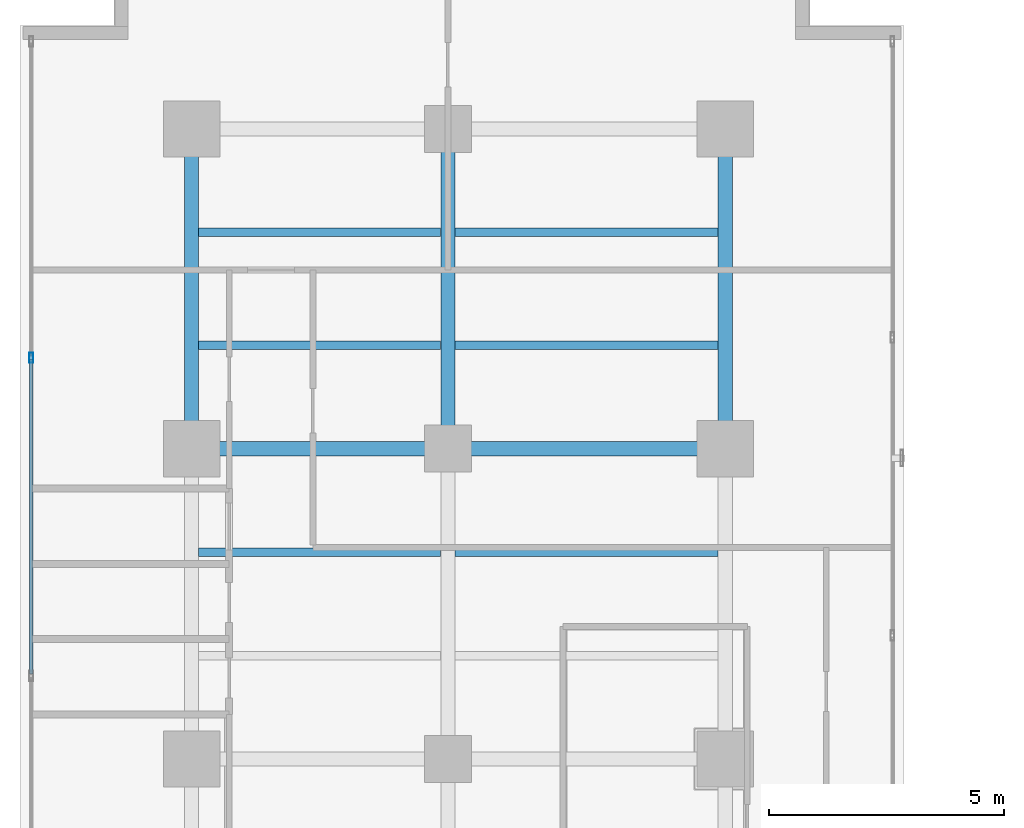
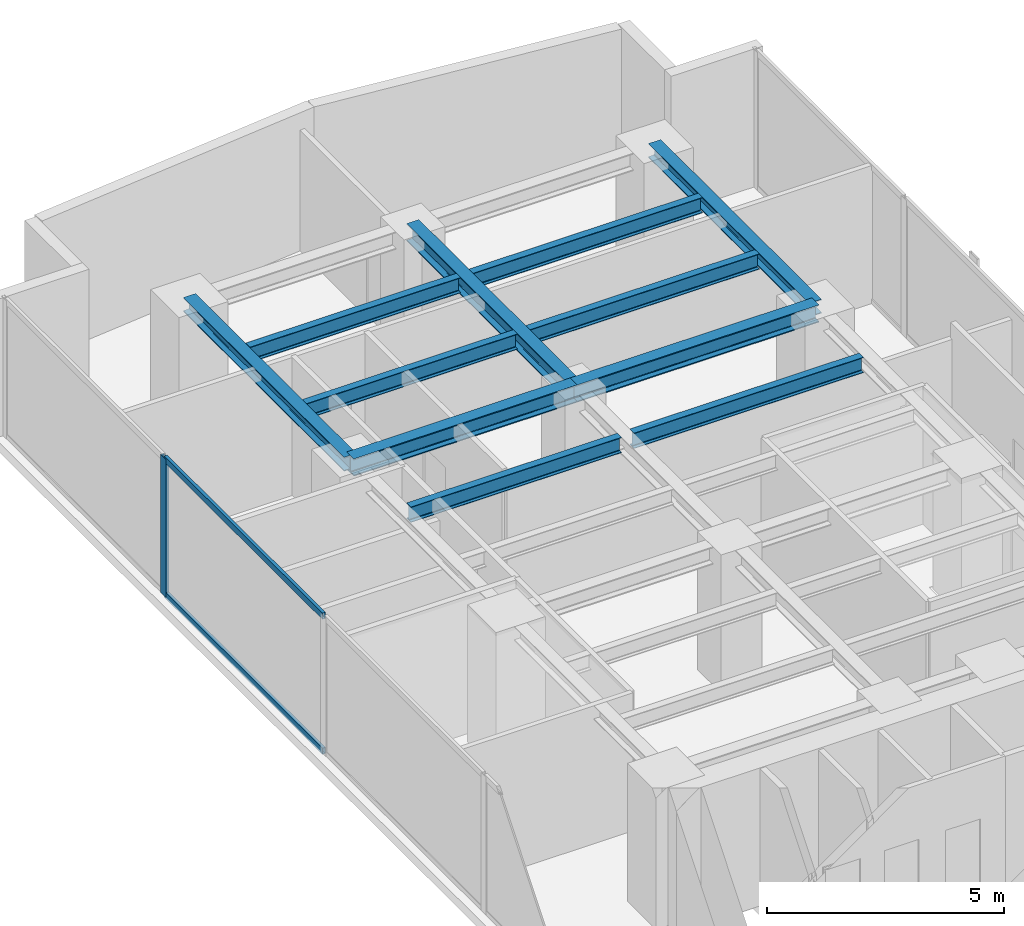
# One storey, part 15 of 24: 11 beams, 3 members, 1 element without a shape of its own.
"""IFC4 building model written with IfcOpenShell, lengths in metres."""

import ifcopenshell
import ifcopenshell.guid

model = None  # the IFC model being written
_history = None  # IfcOwnerHistory: only IFC2X3 demands one
_inside = {}  # id of a spatial element -> (the spatial element, [elements in it])
_under = {}  # id of a project, library or spatial element -> (it, [spatial elements below it])
_declared = {}  # id of a project -> (the project, [libraries it declares])
_typed = {}  # id of a type object -> (the type object, [elements of that type])
_made_of = {}  # id of a material, layer set ... -> (it, [elements and type objects made of it])


def new_model(schema):
    """Start an empty IFC model of exactly this schema.

    Asked for "IFC4X3", IfcOpenShell would pick the latest addendum, in which some entities
    have other attributes; the version numbers below select the first issue.
    IFC2X3 requires an IfcOwnerHistory on every rooted entity: one is made here for all.
    """
    global model, _history
    if schema == "IFC4X3":
        model = ifcopenshell.file(schema_version=(4, 3, 0, 0))
    else:
        model = ifcopenshell.file(schema=schema)
    _inside.clear()
    _under.clear()
    _declared.clear()
    _typed.clear()
    _made_of.clear()
    _history = None
    if model.schema == "IFC2X3":
        org = make("IfcOrganization", Name="unknown")
        user = make(
            "IfcPersonAndOrganization",
            ThePerson=make("IfcPerson", FamilyName="unknown"),
            TheOrganization=org,
        )
        app = make(
            "IfcApplication",
            ApplicationDeveloper=org,
            Version="unknown",
            ApplicationFullName="unknown",
            ApplicationIdentifier="unknown",
        )
        _history = make(
            "IfcOwnerHistory",
            OwningUser=user,
            OwningApplication=app,
            ChangeAction="ADDED",
            CreationDate=0,
        )
    return model


def make(cls, **values):
    """One entity of the class cls with the attributes given. An attribute that is None is left unset."""
    return model.create_entity(
        cls, **{name: value for name, value in values.items() if value is not None}
    )


def rooted(cls, **values):
    """An entity with a GlobalId (a new one), such as an element, a storey or a relation."""
    return make(cls, GlobalId=ifcopenshell.guid.new(), OwnerHistory=_history, **values)


def si_unit(unit_type, name, prefix=None):
    """IfcSIUnit, for example si_unit("LENGTHUNIT", "METRE", prefix="MILLI")."""
    return make("IfcSIUnit", UnitType=unit_type, Prefix=prefix, Name=name)


def assignment(units):
    """IfcUnitAssignment: the units of a project."""
    return None if units is None else make("IfcUnitAssignment", Units=units)


def point(xyz):
    """IfcCartesianPoint."""
    return None if xyz is None else make("IfcCartesianPoint", Coordinates=xyz)


def direction(xyz):
    """IfcDirection."""
    return None if xyz is None else make("IfcDirection", DirectionRatios=xyz)


def frame(location, z_axis=None, x_axis=None):
    """IfcAxis2Placement3D, a coordinate frame: its origin and axes. An axis left out is left unset."""
    return make(
        "IfcAxis2Placement3D",
        Location=point(location),
        Axis=direction(z_axis),
        RefDirection=direction(x_axis),
    )


def frame_2d(location, x_axis=None):
    """IfcAxis2Placement2D, a coordinate frame in the plane: its origin and x axis."""
    return make(
        "IfcAxis2Placement2D", Location=point(location), RefDirection=direction(x_axis)
    )


def origin():
    """The frame at (0, 0, 0) with its axes left unset."""
    return frame((0.0, 0.0, 0.0))


def origin_with_axes():
    """The frame at (0, 0, 0) with the z axis (0, 0, 1) and the x axis (1, 0, 0) written out."""
    return frame((0.0, 0.0, 0.0), z_axis=(0.0, 0.0, 1.0), x_axis=(1.0, 0.0, 0.0))


def origin_2d():
    """The frame at (0, 0) in the plane with its x axis left unset."""
    return frame_2d((0.0, 0.0))


def place(relative_to, where):
    """IfcLocalPlacement: puts the frame where relative to a parent placement (None: the world)."""
    return make(
        "IfcLocalPlacement", PlacementRelTo=relative_to, RelativePlacement=where
    )


def context(
    kind, dimensions, precision=None, world=None, true_north=None, identifier=None
):
    """IfcGeometricRepresentationContext, for example the 3D "Model" context."""
    return make(
        "IfcGeometricRepresentationContext",
        ContextIdentifier=identifier,
        ContextType=kind,
        CoordinateSpaceDimension=dimensions,
        Precision=precision,
        WorldCoordinateSystem=world,
        TrueNorth=true_north,
    )


def subcontext(parent, identifier, kind, view, scale=None):
    """IfcGeometricRepresentationSubContext, for example "Body" below "Model"."""
    return make(
        "IfcGeometricRepresentationSubContext",
        ContextIdentifier=identifier,
        ContextType=kind,
        ParentContext=parent,
        TargetScale=scale,
        TargetView=view,
    )


def project(units=None, contexts=None):
    """IfcProject with its units and contexts."""
    return rooted(
        "IfcProject",
        Name="project",
        RepresentationContexts=contexts,
        UnitsInContext=assignment(units),
    )


def spatial(cls, under=None, at=None, **own):
    """A site, building, storey or space (cls), placed at a placement, below another one or the project."""
    s = rooted(cls, ObjectPlacement=at, **own)
    if under is not None:
        _under.setdefault(under.id(), (under, []))[1].append(s)
    return s


def profile(cls, at=None, kind="AREA", **sizes):
    """A parametric profile (cls). Its sizes go by their IFC names, for example OverallWidth=200.0."""
    return make(cls, ProfileType=kind, Position=at, **sizes)


def hollow_rectangle(**sizes):
    """IfcRectangleHollowProfileDef."""
    return profile("IfcRectangleHollowProfileDef", **sizes)


def i_section(**sizes):
    """IfcIShapeProfileDef."""
    return profile("IfcIShapeProfileDef", **sizes)


def extrude(swept, where, along, depth):
    """IfcExtrudedAreaSolid: the profile swept, set in the frame where, extruded along a direction by depth."""
    return make(
        "IfcExtrudedAreaSolid",
        SweptArea=swept,
        Position=where,
        ExtrudedDirection=direction(along),
        Depth=depth,
    )


def shape(context_of_items, identifier, shape_type, items):
    """IfcShapeRepresentation: the items that make up one representation, for example the "Body"."""
    return make(
        "IfcShapeRepresentation",
        ContextOfItems=context_of_items,
        RepresentationIdentifier=identifier,
        RepresentationType=shape_type,
        Items=items,
    )


def source(mapping_origin, context_of_items, identifier, shape_type, items):
    """IfcRepresentationMap: a shape defined once, which mapped items show again and again."""
    return make(
        "IfcRepresentationMap",
        MappingOrigin=mapping_origin,
        MappedRepresentation=shape(context_of_items, identifier, shape_type, items),
    )


def transform(
    local_origin,
    x_axis=None,
    y_axis=None,
    z_axis=None,
    scale=None,
    scale2=None,
    scale3=None,
    uniform=True,
):
    """IfcCartesianTransformationOperator3D, or its non-uniform kind. x_axis, y_axis, z_axis: its Axis1, 2, 3."""
    if uniform:
        return make(
            "IfcCartesianTransformationOperator3D",
            Axis1=direction(x_axis),
            Axis2=direction(y_axis),
            LocalOrigin=point(local_origin),
            Scale=scale,
            Axis3=direction(z_axis),
        )
    return make(
        "IfcCartesianTransformationOperator3DnonUniform",
        Axis1=direction(x_axis),
        Axis2=direction(y_axis),
        LocalOrigin=point(local_origin),
        Scale=scale,
        Axis3=direction(z_axis),
        Scale2=scale2,
        Scale3=scale3,
    )


def mapped(mapping_source, mapping_target):
    """IfcMappedItem: shows the shape of a source again, moved by a transform."""
    return make(
        "IfcMappedItem", MappingSource=mapping_source, MappingTarget=mapping_target
    )


def material(Name=None, Category=None):
    """IfcMaterial."""
    return make("IfcMaterial", Name=Name, Category=Category)


def layer(
    of_material, thickness, ventilated=None, Name=None, Category=None, Priority=None
):
    """IfcMaterialLayer: one layer of a wall or slab, of a material (None: an air gap)."""
    return make(
        "IfcMaterialLayer",
        Material=of_material,
        LayerThickness=thickness,
        IsVentilated=ventilated,
        Name=Name,
        Category=Category,
        Priority=Priority,
    )


def layer_set(layers, Name=None):
    """IfcMaterialLayerSet."""
    return make("IfcMaterialLayerSet", MaterialLayers=layers, LayerSetName=Name)


def material_profile(
    of_material, cross_section, Name=None, Category=None, Priority=None
):
    """IfcMaterialProfile: a cross section and its material."""
    return make(
        "IfcMaterialProfile",
        Name=Name,
        Material=of_material,
        Profile=cross_section,
        Priority=Priority,
        Category=Category,
    )


def profile_set(profiles, Name=None, composite=None):
    """IfcMaterialProfileSet."""
    return make(
        "IfcMaterialProfileSet",
        Name=Name,
        MaterialProfiles=profiles,
        CompositeProfile=composite,
    )


def made_of(thing, what):
    """Note that an element or type object is made of a material, layer set ...; save() writes the relation."""
    if what is not None:
        _made_of.setdefault(what.id(), (what, []))[1].append(thing)
    return thing


def type_object(cls, material=None, **own):
    """A type object (cls), such as IfcWallType, which elements share."""
    return made_of(rooted(cls, **own), material)


def element(
    cls,
    number,
    at=None,
    inside=None,
    cuts=None,
    type_object=None,
    material=None,
    context=None,
    identifier="Body",
    shape_type=None,
    held_by="IfcProductDefinitionShape",
    body=None,
    shapes=None,
    **own,
):
    """One element of the class cls, such as IfcWall. Its Tag is "e" and its number.

    at: its placement. inside: the storey or other place that contains it. cuts: it is an
    opening in that element (IfcRelVoidsElement). A single representation is given by context,
    identifier, shape_type and body (its items); several are given by shapes. held_by: the class
    of the entity that holds the representations. save() writes the other relations.
    """
    e = rooted(cls, Tag="e%d" % number, ObjectPlacement=at, **own)
    if body is not None:
        shapes = [shape(context, identifier, shape_type, body)]
    if shapes is not None:
        e.Representation = make(held_by, Representations=shapes)
    if inside is not None:
        _inside.setdefault(inside.id(), (inside, []))[1].append(e)
    if cuts is not None:
        rooted(
            "IfcRelVoidsElement", RelatingBuildingElement=cuts, RelatedOpeningElement=e
        )
    if type_object is not None:
        _typed.setdefault(type_object.id(), (type_object, []))[1].append(e)
    return made_of(e, material)


def aggregate(whole, parts):
    """IfcRelAggregates: a whole, such as a stair, and the parts it consists of."""
    return rooted("IfcRelAggregates", RelatingObject=whole, RelatedObjects=parts)


def save(model, path):
    """Write the relations noted so far, then the file.

    IfcRelAggregates (storeys below a building ...), IfcRelContainedInSpatialStructure (elements
    in a storey), IfcRelDefinesByType, IfcRelAssociatesMaterial and IfcRelDeclares: one each for
    every whole, place, type object, material and project.
    """
    for whole, parts in _under.values():
        aggregate(whole, parts)
    for where, things in _inside.values():
        rooted(
            "IfcRelContainedInSpatialStructure",
            RelatedElements=things,
            RelatingStructure=where,
        )
    for kind, things in _typed.values():
        rooted("IfcRelDefinesByType", RelatedObjects=things, RelatingType=kind)
    for what, things in _made_of.values():
        rooted("IfcRelAssociatesMaterial", RelatedObjects=things, RelatingMaterial=what)
    for by, libraries in _declared.values():
        rooted("IfcRelDeclares", RelatingContext=by, RelatedDefinitions=libraries)
    model.write(path)


model = new_model("IFC4")

# Units and contexts
model_context = context("Model", 3, precision=1e-05, world=origin(), true_north=direction((0.0, 1.0)))
body_context = subcontext(model_context, "Body", "Model", "MODEL_VIEW")
ifc_project = project(units=[si_unit("LENGTHUNIT", "METRE"), si_unit("AREAUNIT", "SQUARE_METRE"), si_unit("VOLUMEUNIT", "CUBIC_METRE"), si_unit("PLANEANGLEUNIT", "RADIAN"), si_unit("MASSUNIT", "GRAM", prefix="KILO")], contexts=[model_context])

# Site, building, storey
site_placement = place(None, origin())
site = spatial("IfcSite", under=ifc_project, at=site_placement, CompositionType="ELEMENT")
building_placement = place(site_placement, origin())
building = spatial("IfcBuilding", under=site, at=building_placement, Name="Kolvaren Waterfront Exchange", CompositionType="ELEMENT")
storey_placement = place(building_placement, frame((0.0, 0.0, 172.800048828125)))
storey = spatial("IfcBuildingStorey", under=building, at=storey_placement, Name="L44", CompositionType="ELEMENT", Elevation=172.800048828125)

# Beams
ifc_material_1 = material(Name="Steel S355", Category="steel")
ifc_material_profile_1 = material_profile(ifc_material_1, i_section(OverallWidth=0.300048828125, OverallDepth=0.360107421875, WebThickness=0.012451171875, FlangeThickness=0.0224609375, FilletRadius=0.027099609375, at=origin_2d()), Name="HEB360")
ifc_profile_set_1 = profile_set([ifc_material_profile_1], Name="Steel S355")
beam_type_1 = type_object("IfcBeamType", Name="STR-BM-HEB360", PredefinedType="SPANDREL", material=ifc_profile_set_1)
for number, where, z_axis, x_axis, name in (
    (1, (7.449951171875, 37.800048828125, 3.3798828125), (0.0, 1.0, 0.0), (-1.0, 0.0, 0.0), "L44 north-arm edge beam 3"),
    (2, (18.800048828125, 37.800048828125, 3.3798828125), (0.0, 1.0, 0.0), (-1.0, 0.0, 0.0), "L44 north-arm edge beam 3"),
):
    element("IfcBeam", number, at=place(storey_placement, frame(where, z_axis=z_axis, x_axis=x_axis)), inside=storey, type_object=beam_type_1, Name=name, PredefinedType="SPANDREL", context=body_context, shape_type="SweptSolid", body=[
        extrude(i_section(OverallWidth=0.300048828125, OverallDepth=0.360107421875, WebThickness=0.012451171875, FlangeThickness=0.0224609375, FilletRadius=0.027099609375, at=origin_2d()), origin(), (0.0, 0.0, 1.0), 6.800048828125),
    ])
ifc_material_profile_2 = material_profile(ifc_material_1, i_section(OverallWidth=0.300048828125, OverallDepth=0.449951171875, WebThickness=0.013916015625, FlangeThickness=0.02587890625, FilletRadius=0.027099609375, at=origin_2d()), Name="HEB450")
ifc_profile_set_2 = profile_set([ifc_material_profile_2], Name="Steel S355")
beam_type_2 = type_object("IfcBeamType", Name="STR-BM-HEB450", PredefinedType="BEAM", material=ifc_profile_set_2)
beam_1_placement = place(storey_placement, frame((7.449951171875, 37.800048828125, 3.3349609375), z_axis=(1.0, 0.0, 0.0), x_axis=(0.0, 1.0, 0.0)))
element("IfcBeam", 3, at=beam_1_placement, inside=storey, type_object=beam_type_2, Name="L44 north-arm girder 3A", PredefinedType="BEAM", context=body_context, shape_type="SweptSolid", body=[
    extrude(i_section(OverallWidth=0.300048828125, OverallDepth=0.449951171875, WebThickness=0.013916015625, FlangeThickness=0.02587890625, FilletRadius=0.027099609375, at=origin_2d()), origin(), (0.0, 0.0, 1.0), 5.449951171875),
])
beam_2_placement = place(storey_placement, frame((12.89990234375, 37.800048828125, 3.3349609375), z_axis=(1.0, 0.0, 0.0), x_axis=(0.0, 1.0, 0.0)))
element("IfcBeam", 4, at=beam_2_placement, inside=storey, type_object=beam_type_2, Name="L44 north-arm girder 3B", PredefinedType="BEAM", context=body_context, shape_type="SweptSolid", body=[
    extrude(i_section(OverallWidth=0.300048828125, OverallDepth=0.449951171875, WebThickness=0.013916015625, FlangeThickness=0.02587890625, FilletRadius=0.027099609375, at=origin_2d()), origin(), (0.0, 0.0, 1.0), 5.900146484375),
])
beam_3_placement = place(storey_placement, frame((12.89990234375, 37.800048828125, 3.3349609375), z_axis=(0.0, 1.0, 0.0), x_axis=(-1.0, 0.0, 0.0)))
element("IfcBeam", 5, at=beam_3_placement, inside=storey, type_object=beam_type_2, Name="L44 north-arm edge beam 3", PredefinedType="BEAM", context=body_context, shape_type="SweptSolid", body=[
    extrude(i_section(OverallWidth=0.300048828125, OverallDepth=0.449951171875, WebThickness=0.013916015625, FlangeThickness=0.02587890625, FilletRadius=0.027099609375, at=origin_2d()), origin(), (0.0, 0.0, 1.0), 6.800048828125),
])
ifc_material_profile_3 = material_profile(ifc_material_1, i_section(OverallWidth=0.179931640625, OverallDepth=0.39990234375, WebThickness=0.008544921875, FlangeThickness=0.013427734375, FilletRadius=0.02099609375, at=origin_2d()), Name="IPE400")
ifc_profile_set_3 = profile_set([ifc_material_profile_3], Name="Steel S355")
beam_type_3 = type_object("IfcBeamType", Name="STR-BM-IPE400", PredefinedType="JOIST", material=ifc_profile_set_3)
beam_4_placement = place(storey_placement, frame((7.60205078125, 35.60009765625, 3.35986328125), z_axis=(1.0, 0.0, 0.0), x_axis=(0.0, 1.0, 0.0)))
element("IfcBeam", 6, at=beam_4_placement, inside=storey, type_object=beam_type_3, Name="L44 north-arm composite joist 4A", PredefinedType="JOIST", context=body_context, shape_type="SweptSolid", body=[
    extrude(i_section(OverallWidth=0.179931640625, OverallDepth=0.39990234375, WebThickness=0.008544921875, FlangeThickness=0.013427734375, FilletRadius=0.02099609375, at=origin_2d()), origin(), (0.0, 0.0, 1.0), 5.14599609375),
])
beam_5_placement = place(storey_placement, frame((13.052001953125, 35.60009765625, 3.35986328125), z_axis=(1.0, 0.0, 0.0), x_axis=(0.0, 1.0, 0.0)))
element("IfcBeam", 7, at=beam_5_placement, inside=storey, type_object=beam_type_3, Name="L44 north-arm composite joist 4B", PredefinedType="JOIST", context=body_context, shape_type="SweptSolid", body=[
    extrude(i_section(OverallWidth=0.179931640625, OverallDepth=0.39990234375, WebThickness=0.008544921875, FlangeThickness=0.013427734375, FilletRadius=0.02099609375, at=origin_2d()), origin(), (0.0, 0.0, 1.0), 5.595947265625),
])
beam_6_placement = place(storey_placement, frame((7.60205078125, 40.0, 3.35986328125), z_axis=(1.0, 0.0, 0.0), x_axis=(0.0, 1.0, 0.0)))
element("IfcBeam", 8, at=beam_6_placement, inside=storey, type_object=beam_type_3, Name="L44 north-arm composite joist 5A", PredefinedType="JOIST", context=body_context, shape_type="SweptSolid", body=[
    extrude(i_section(OverallWidth=0.179931640625, OverallDepth=0.39990234375, WebThickness=0.008544921875, FlangeThickness=0.013427734375, FilletRadius=0.02099609375, at=origin_2d()), origin(), (0.0, 0.0, 1.0), 5.14599609375),
])
beam_7_placement = place(storey_placement, frame((13.052001953125, 40.0, 3.35986328125), z_axis=(1.0, 0.0, 0.0), x_axis=(0.0, 1.0, 0.0)))
element("IfcBeam", 9, at=beam_7_placement, inside=storey, type_object=beam_type_3, Name="L44 north-arm composite joist 5B", PredefinedType="JOIST", context=body_context, shape_type="SweptSolid", body=[
    extrude(i_section(OverallWidth=0.179931640625, OverallDepth=0.39990234375, WebThickness=0.008544921875, FlangeThickness=0.013427734375, FilletRadius=0.02099609375, at=origin_2d()), origin(), (0.0, 0.0, 1.0), 5.595947265625),
])
beam_8_placement = place(storey_placement, frame((7.60205078125, 42.39990234375, 3.35986328125), z_axis=(1.0, 0.0, 0.0), x_axis=(0.0, 1.0, 0.0)))
element("IfcBeam", 10, at=beam_8_placement, inside=storey, type_object=beam_type_3, Name="L44 north-arm composite joist 6A", PredefinedType="JOIST", context=body_context, shape_type="SweptSolid", body=[
    extrude(i_section(OverallWidth=0.179931640625, OverallDepth=0.39990234375, WebThickness=0.008544921875, FlangeThickness=0.013427734375, FilletRadius=0.02099609375, at=origin_2d()), origin(), (0.0, 0.0, 1.0), 5.14599609375),
])
beam_9_placement = place(storey_placement, frame((13.052001953125, 42.39990234375, 3.35986328125), z_axis=(1.0, 0.0, 0.0), x_axis=(0.0, 1.0, 0.0)))
element("IfcBeam", 11, at=beam_9_placement, inside=storey, type_object=beam_type_3, Name="L44 north-arm composite joist 6B", PredefinedType="JOIST", context=body_context, shape_type="SweptSolid", body=[
    extrude(i_section(OverallWidth=0.179931640625, OverallDepth=0.39990234375, WebThickness=0.008544921875, FlangeThickness=0.013427734375, FilletRadius=0.02099609375, at=origin_2d()), origin(), (0.0, 0.0, 1.0), 5.595947265625),
])

# Curtain wall, members
ifc_material_2 = material(Name="Anodised aluminium 6063-T6", Category="aluminium")
ifc_layer = layer(ifc_material_2, 0.219970703125, Name="Anodised aluminium 6063-T6")
ifc_layer_set = layer_set([ifc_layer], Name="Anodised aluminium 6063-T6")
curtain_wall_type = type_object("IfcCurtainWallType", Name="ARC-CW-SYS2", PredefinedType="USERDEFINED", material=ifc_layer_set)
curtain_wall_placement = place(storey_placement, origin())
curtain_wall = element("IfcCurtainWall", 12, at=curtain_wall_placement, inside=storey, type_object=curtain_wall_type, Name="L44 stick curtain wall CW2 (CW-L44-W)", ObjectType="STICK CURTAIN WALL", PredefinedType="USERDEFINED")
ifc_material_profile_4 = material_profile(ifc_material_2, hollow_rectangle(XDim=0.080078125, YDim=0.219970703125, WallThickness=0.0048828125, at=origin_2d()), Name="ALU-MUL-220x80x5")
ifc_profile_set_4 = profile_set([ifc_material_profile_4], Name="Anodised aluminium 6063-T6")
member_type_1 = type_object("IfcMemberType", Name="ARC-CWM-220", PredefinedType="MULLION", material=ifc_profile_set_4)
shared_shape_1 = source(origin_with_axes(), body_context, "Body", "SweptSolid", [
    extrude(hollow_rectangle(XDim=0.080078125, YDim=0.219970703125, WallThickness=0.0048828125, at=origin_2d()), origin(), (0.0, 0.0, 1.0), 3.56005859375),
])
member_1_placement = place(storey_placement, frame((4.0400390625, 39.7333984375, 0.0), z_axis=(0.0, 0.0, 1.0), x_axis=(-1.0, 0.0, 0.0)))
member_1 = element("IfcMember", 13, at=member_1_placement, type_object=member_type_1, Name="CW2 mullion 6", PredefinedType="MULLION", context=body_context, shape_type="MappedRepresentation", body=[
    mapped(shared_shape_1, transform((0.0, 0.0, 0.0), x_axis=(1.0, 0.0, 0.0), y_axis=(0.0, 1.0, 0.0), z_axis=(0.0, 0.0, 1.0), scale=1.0)),
])
ifc_material_profile_5 = material_profile(ifc_material_2, hollow_rectangle(XDim=0.074951171875, YDim=0.159912109375, WallThickness=0.00439453125, at=origin_2d()), Name="ALU-TRN-160x75x4.5")
ifc_profile_set_5 = profile_set([ifc_material_profile_5], Name="Anodised aluminium 6063-T6")
member_type_2 = type_object("IfcMemberType", Name="ARC-CWT-160", PredefinedType="USERDEFINED", material=ifc_profile_set_5)
shared_shape_2 = source(origin_with_axes(), body_context, "Body", "SweptSolid", [
    extrude(hollow_rectangle(XDim=0.074951171875, YDim=0.159912109375, WallThickness=0.00439453125, at=origin_2d()), origin(), (0.0, 0.0, 1.0), 6.686767578125),
])
member_2_placement = place(storey_placement, frame((4.0400390625, 33.006591796875, 0.037353515625), z_axis=(0.0, 1.0, 0.0), x_axis=(-1.0, 0.0, 0.0)))
member_2 = element("IfcMember", 14, at=member_2_placement, type_object=member_type_2, Name="CW2 transom 5.1", ObjectType="TRANSOM", PredefinedType="USERDEFINED", context=body_context, shape_type="MappedRepresentation", body=[
    mapped(shared_shape_2, transform((0.0, 0.0, 0.0), x_axis=(1.0, 0.0, 0.0), y_axis=(0.0, 1.0, 0.0), z_axis=(0.0, 0.0, 1.0), scale=1.0)),
])
member_3_placement = place(storey_placement, frame((4.0400390625, 33.006591796875, 3.5224609375), z_axis=(0.0, 1.0, 0.0), x_axis=(-1.0, 0.0, 0.0)))
member_3 = element("IfcMember", 15, at=member_3_placement, type_object=member_type_2, Name="CW2 transom 5.2", ObjectType="TRANSOM", PredefinedType="USERDEFINED", context=body_context, shape_type="MappedRepresentation", body=[
    mapped(shared_shape_2, transform((0.0, 0.0, 0.0), x_axis=(1.0, 0.0, 0.0), y_axis=(0.0, 1.0, 0.0), z_axis=(0.0, 0.0, 1.0), scale=1.0)),
])
aggregate(curtain_wall, [member_1, member_2, member_3])

save(model, "model.ifc")
